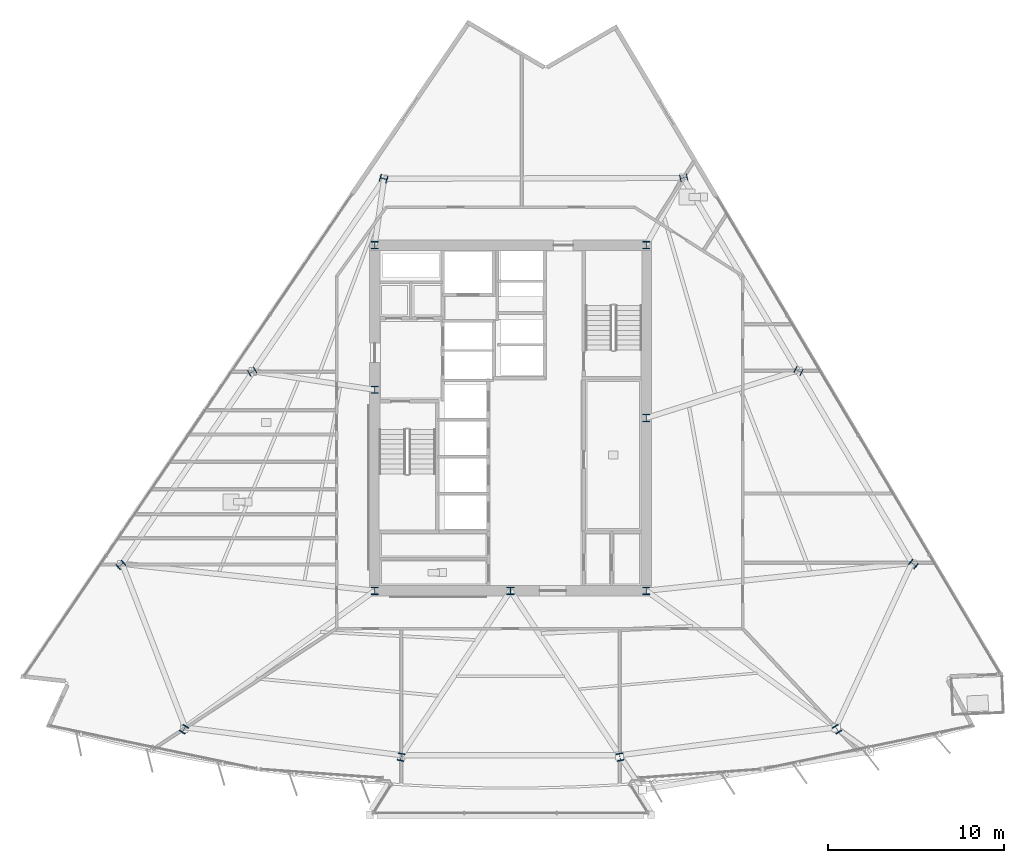
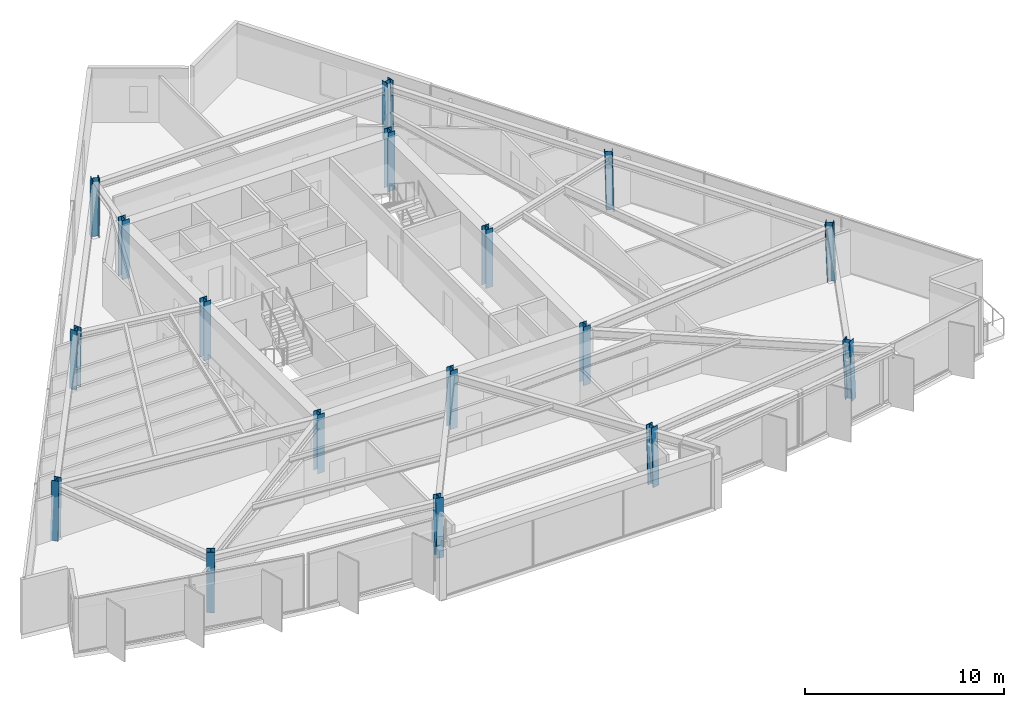
# One storey, part 1 of 15: 17 columns.
"""IFC4 building model written with IfcOpenShell, lengths in metres."""

from ifc_helpers import new_model, si_unit, direction, frame, origin, origin_2d, place, context, subcontext, project, spatial, i_section, extrude, material, material_profile, profile_set, type_object, element, save


model = new_model("IFC4")

# Units and contexts
model_context = context("Model", 3, precision=1e-05, world=origin(), true_north=direction((0.0, 1.0)))
body_context = subcontext(model_context, "Body", "Model", "MODEL_VIEW")
ifc_project = project(units=[si_unit("LENGTHUNIT", "METRE"), si_unit("AREAUNIT", "SQUARE_METRE"), si_unit("VOLUMEUNIT", "CUBIC_METRE"), si_unit("PLANEANGLEUNIT", "RADIAN"), si_unit("MASSUNIT", "GRAM", prefix="KILO")], contexts=[model_context])

# Site, building, storey
site_placement = place(None, origin())
site = spatial("IfcSite", under=ifc_project, at=site_placement, CompositionType="ELEMENT")
building_placement = place(site_placement, origin())
building = spatial("IfcBuilding", under=site, at=building_placement, Name="Savorim Split Tower", CompositionType="ELEMENT")
storey_placement = place(building_placement, frame((0.0, 0.0, 118.5)))
storey = spatial("IfcBuildingStorey", under=building, at=storey_placement, Name="L31", CompositionType="ELEMENT", Elevation=118.5)

# Columns
ifc_material = material(Name="Steel S460", Category="steel")
ifc_material_profile_1 = material_profile(ifc_material, i_section(OverallWidth=0.406005859375, OverallDepth=0.416015625, WebThickness=0.018798828125, FlangeThickness=0.031005859375, FilletRadius=0.014892578125, at=origin_2d()), Name="HD 400x382")
ifc_profile_set_1 = profile_set([ifc_material_profile_1], Name="Steel S460")
column_type_1 = type_object("IfcColumnType", Name="COL-HD-382", PredefinedType="COLUMN", material=ifc_profile_set_1)
column_1_placement = place(storey_placement, frame((-18.527099609375, -17.273681640625, 0.005615234375), z_axis=(0.020664238418, 0.033511412961, 0.999224686671), x_axis=(-0.851183725565, 0.524867855115, 0.0)))
element("IfcColumn", 1, at=column_1_placement, inside=storey, type_object=column_type_1, Name="L31 Tapered Perimeter Column PC-S1", PredefinedType="COLUMN", context=body_context, shape_type="SweptSolid", body=[
    extrude(i_section(OverallWidth=0.406005859375, OverallDepth=0.416015625, WebThickness=0.018798828125, FlangeThickness=0.031005859375, FilletRadius=0.014892578125, at=origin_2d()), origin(), (0.0, 0.0, 1.0), 3.591552734375),
])
for number, where, z_axis, x_axis, name in (
    (2, (-6.20947265625, -18.85498046875, 0.005615234375), (0.006934304776, 0.03521539092, 0.999355688261), (-0.981159154887, 0.193201223549, 0.0), "L31 Tapered Perimeter Column PC-S2"),
    (3, (6.20947265625, -18.85498046875, 0.005615234375), (-0.006934304776, 0.03521539092, 0.999355688261), (-0.981159154887, -0.193201223549, 0.0), "L31 Tapered Perimeter Column PC-S3"),
):
    element("IfcColumn", number, at=place(storey_placement, frame(where, z_axis=z_axis, x_axis=x_axis)), inside=storey, type_object=column_type_1, Name=name, PredefinedType="COLUMN", context=body_context, shape_type="SweptSolid", body=[
        extrude(i_section(OverallWidth=0.406005859375, OverallDepth=0.416015625, WebThickness=0.018798828125, FlangeThickness=0.031005859375, FilletRadius=0.014892578125, at=origin_2d()), origin(), (0.0, 0.0, 1.0), 3.591064453125),
    ])
column_2_placement = place(storey_placement, frame((18.527099609375, -17.273681640625, 0.005615234375), z_axis=(-0.020664238418, 0.033511412961, 0.999224686671), x_axis=(-0.851183725565, -0.524867855115, 0.0)))
element("IfcColumn", 4, at=column_2_placement, inside=storey, type_object=column_type_1, Name="L31 Tapered Perimeter Column PC-S4", PredefinedType="COLUMN", context=body_context, shape_type="SweptSolid", body=[
    extrude(i_section(OverallWidth=0.406005859375, OverallDepth=0.416015625, WebThickness=0.018798828125, FlangeThickness=0.031005859375, FilletRadius=0.014892578125, at=origin_2d()), origin(), (0.0, 0.0, 1.0), 3.591552734375),
])
column_3_placement = place(storey_placement, frame((22.863037109375, -7.898681640625, 0.005615234375), z_axis=(-0.026107436898, 0.021620221181, 0.999425318758), x_axis=(-0.637813971185, -0.770190455771, 0.0)))
element("IfcColumn", 5, at=column_3_placement, inside=storey, type_object=column_type_1, Name="L31 Tapered Perimeter Column PC-E1", PredefinedType="COLUMN", context=body_context, shape_type="SweptSolid", body=[
    extrude(i_section(OverallWidth=0.406005859375, OverallDepth=0.416015625, WebThickness=0.018798828125, FlangeThickness=0.031005859375, FilletRadius=0.014892578125, at=origin_2d()), origin(), (0.0, 0.0, 1.0), 3.5908203125),
])
column_4_placement = place(storey_placement, frame((16.345947265625, 3.061279296875, 0.005615234375), z_axis=(-0.018975301738, 0.00958966862, 0.999773962543), x_axis=(-0.451048184688, -0.89249959949, 0.0)))
element("IfcColumn", 6, at=column_4_placement, inside=storey, type_object=column_type_1, Name="L31 Tapered Perimeter Column PC-E2", PredefinedType="COLUMN", context=body_context, shape_type="SweptSolid", body=[
    extrude(i_section(OverallWidth=0.406005859375, OverallDepth=0.416015625, WebThickness=0.018798828125, FlangeThickness=0.031005859375, FilletRadius=0.014892578125, at=origin_2d()), origin(), (0.0, 0.0, 1.0), 3.589599609375),
])
for number, where, z_axis, x_axis, name in (
    (7, (9.828857421875, 14.021484375, 0.005615234375), (-0.011767853257, -0.00258484638, 0.999927415465), (0.214538664031, -0.976715496773, 0.0), "L31 Tapered Perimeter Column PC-E3"),
    (8, (-7.19970703125, 13.97265625, 0.005615234375), (0.008775143007, -0.002584925847, 0.999958156636), (0.282568886397, 0.959247009086, 0.0), "L31 Tapered Perimeter Column PC-W1"),
):
    element("IfcColumn", number, at=place(storey_placement, frame(where, z_axis=z_axis, x_axis=x_axis)), inside=storey, type_object=column_type_1, Name=name, PredefinedType="COLUMN", context=body_context, shape_type="SweptSolid", body=[
        extrude(i_section(OverallWidth=0.406005859375, OverallDepth=0.416015625, WebThickness=0.018798828125, FlangeThickness=0.031005859375, FilletRadius=0.014892578125, at=origin_2d()), origin(), (0.0, 0.0, 1.0), 3.589111328125),
    ])
column_5_placement = place(storey_placement, frame((-14.65576171875, 3.0126953125, 0.005615234375), z_axis=(0.017003572908, 0.009522000828, 0.999810086971), x_axis=(-0.488603368932, 0.87250601595, 0.0)))
element("IfcColumn", 9, at=column_5_placement, inside=storey, type_object=column_type_1, Name="L31 Tapered Perimeter Column PC-W2", PredefinedType="COLUMN", context=body_context, shape_type="SweptSolid", body=[
    extrude(i_section(OverallWidth=0.406005859375, OverallDepth=0.416015625, WebThickness=0.018798828125, FlangeThickness=0.031005859375, FilletRadius=0.014892578125, at=origin_2d()), origin(), (0.0, 0.0, 1.0), 3.589599609375),
])
column_6_placement = place(storey_placement, frame((-22.11181640625, -7.947509765625, 0.005615234375), z_axis=(0.025292109804, 0.02162067451, 0.999446274502), x_axis=(-0.649781149204, 0.760121344352, 0.0)))
element("IfcColumn", 10, at=column_6_placement, inside=storey, type_object=column_type_1, Name="L31 Tapered Perimeter Column PC-W3", PredefinedType="COLUMN", context=body_context, shape_type="SweptSolid", body=[
    extrude(i_section(OverallWidth=0.406005859375, OverallDepth=0.416015625, WebThickness=0.018798828125, FlangeThickness=0.031005859375, FilletRadius=0.014892578125, at=origin_2d()), origin(), (0.0, 0.0, 1.0), 3.5908203125),
])
ifc_material_profile_2 = material_profile(ifc_material, i_section(OverallWidth=0.408935546875, OverallDepth=0.425048828125, WebThickness=0.020751953125, FlangeThickness=0.033935546875, FilletRadius=0.014892578125, at=origin_2d()), Name="HD 400x421")
ifc_profile_set_2 = profile_set([ifc_material_profile_2], Name="Steel S460")
column_type_2 = type_object("IfcColumnType", Name="COL-HD-421", PredefinedType="COLUMN", material=ifc_profile_set_2)
for number, where, z_axis, x_axis, name in (
    (11, (-7.699951171875, -9.39990234375, 0.0), (0.0, 0.0, 1.0), (1.0, 0.0, 0.0), "L31 Core Structural Column TC-C1"),
    (12, (7.699951171875, -9.39990234375, 0.0), (0.0, 0.0, 1.0), (1.0, 0.0, 0.0), "L31 Core Structural Column TC-C2"),
    (13, (7.699951171875, 10.199951171875, 0.0), (0.0, 0.0, 1.0), (1.0, 0.0, 0.0), "L31 Core Structural Column TC-C3"),
    (14, (-7.699951171875, 10.199951171875, 0.0), (0.0, 0.0, 1.0), (1.0, 0.0, 0.0), "L31 Core Structural Column TC-C4"),
    (15, (0.0, -9.39990234375, 0.0), (0.0, 0.0, 1.0), (1.0, 0.0, 0.0), "L31 Core Structural Column TC-C5"),
    (16, (7.699951171875, 0.39990234375, 0.0), (0.0, 0.0, 1.0), (1.0, 0.0, 0.0), "L31 Core Structural Column TC-C6"),
    (17, (-7.699951171875, 2.0, 0.0), (0.0, 0.0, 1.0), (1.0, 0.0, 0.0), "L31 Core Structural Column TC-C7"),
):
    element("IfcColumn", number, at=place(storey_placement, frame(where, z_axis=z_axis, x_axis=x_axis)), inside=storey, type_object=column_type_2, Name=name, PredefinedType="COLUMN", context=body_context, shape_type="SweptSolid", body=[
        extrude(i_section(OverallWidth=0.408935546875, OverallDepth=0.425048828125, WebThickness=0.020751953125, FlangeThickness=0.033935546875, FilletRadius=0.014892578125, at=origin_2d()), origin(), (0.0, 0.0, 1.0), 3.60009765625),
    ])

save(model, "model.ifc")
